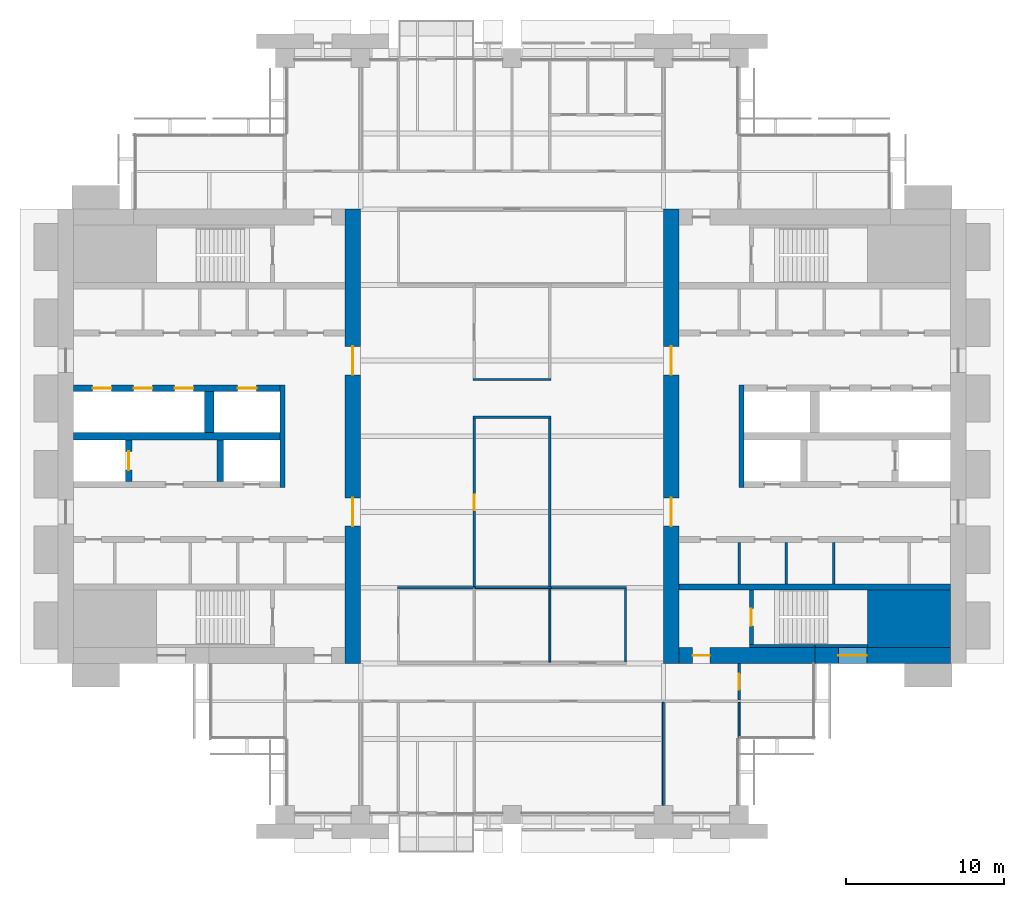
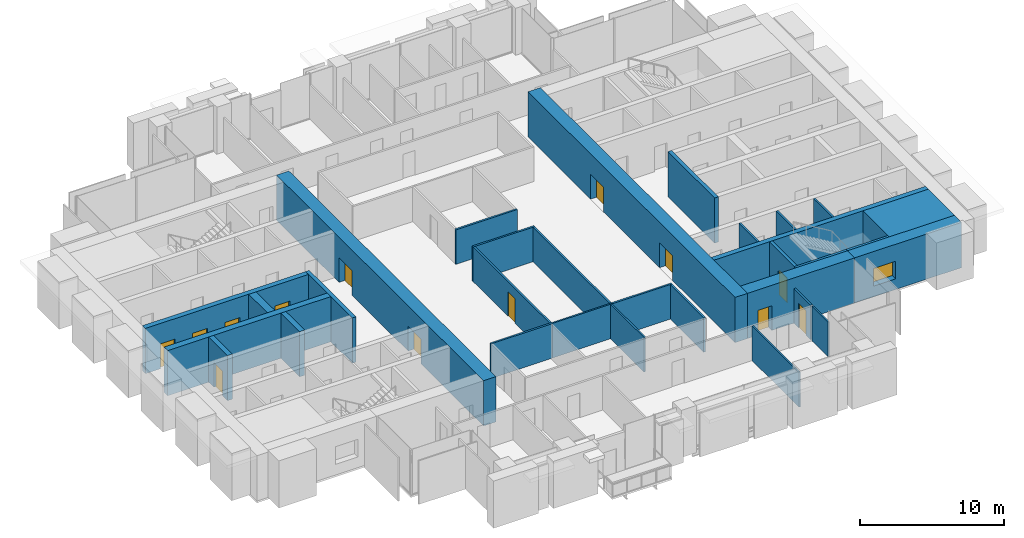
# One storey, part 10 of 15: 31 walls, 13 doors, 1 window, 14 openings.
"""IFC4 building model written with IfcOpenShell, lengths in metres."""

from ifc_helpers import new_model, si_unit, direction, frame, frame_2d, origin, place, context, subcontext, project, spatial, rectangle, extrude, material, layer, layer_set, type_object, element, fill, save


model = new_model("IFC4")

# Units and contexts
model_context = context("Model", 3, precision=1e-05, world=origin(), true_north=direction((0.0, 1.0)))
body_context = subcontext(model_context, "Body", "Model", "MODEL_VIEW")
ifc_project = project(units=[si_unit("LENGTHUNIT", "METRE"), si_unit("AREAUNIT", "SQUARE_METRE"), si_unit("VOLUMEUNIT", "CUBIC_METRE"), si_unit("PLANEANGLEUNIT", "RADIAN"), si_unit("MASSUNIT", "GRAM", prefix="KILO")], contexts=[model_context])

# Site, building, storey
site_placement = place(None, origin())
site = spatial("IfcSite", under=ifc_project, at=site_placement, CompositionType="ELEMENT")
building_placement = place(site_placement, origin())
building = spatial("IfcBuilding", under=site, at=building_placement, Name="Baori Bourse Tower", CompositionType="ELEMENT")
storey_placement = place(building_placement, frame((0.0, 0.0, 128.10009765625)))
storey = spatial("IfcBuildingStorey", under=building, at=storey_placement, Name="L27", CompositionType="ELEMENT", Elevation=128.10009765625)

# Walls
ifc_material_1 = material(Name="Concrete f'c 60 MPa", Category="concrete")
wall_type_1 = type_object("IfcWallType", Name="Core corner block f'c 60", PredefinedType="SHEAR", material=ifc_material_1)
wall_1_placement = place(storey_placement, frame((51.35009765625, 12.425048828125, 0.0), z_axis=(0.0, 0.0, 1.0), x_axis=(1.0, 0.0, 0.0)))
element("IfcWall", 1, at=wall_1_placement, inside=storey, type_object=wall_type_1, Name="Core wall E05", PredefinedType="SHEAR", context=body_context, shape_type="SweptSolid", body=[
    extrude(rectangle(XDim=5.25, YDim=3.64990234375, at=frame_2d((2.625, 0.0))), origin(), (0.0, 0.0, 1.0), 3.83984375),
])
ifc_material_2 = material(Name="Blockwork partition", Category="masonry")
ifc_layer_1 = layer(ifc_material_2, 0.14990234375)
ifc_layer_set_1 = layer_set([ifc_layer_1], Name="Core partition 150")
wall_type_2 = type_object("IfcWallType", Name="Core partition 150", PredefinedType="PARTITIONING", material=ifc_layer_set_1)
for number, where, z_axis, x_axis, name in (
    (2, (49.199951171875, 14.64990234375, 0.0), (0.0, 0.0, 1.0), (0.0, 1.0, 0.0), "Partition wall E11"),
    (3, (46.199951171875, 14.64990234375, 0.0), (0.0, 0.0, 1.0), (0.0, 1.0, 0.0), "Partition wall E12"),
    (4, (43.199951171875, 14.64990234375, 0.0), (0.0, 0.0, 1.0), (0.0, 1.0, 0.0), "Partition wall E13"),
):
    element("IfcWall", number, at=place(storey_placement, frame(where, z_axis=z_axis, x_axis=x_axis)), inside=storey, type_object=wall_type_2, Name=name, PredefinedType="PARTITIONING", context=body_context, shape_type="SweptSolid", body=[
        extrude(rectangle(XDim=2.60009765625, YDim=0.14990234375, at=frame_2d((1.300048828125, 0.0))), origin(), (0.0, 0.0, 1.0), 3.83984375),
    ])

# Wall, openings, doors
ifc_material_3 = material(Name="Concrete f'c 60 MPa", Category="concrete")
ifc_layer_2 = layer(ifc_material_3, 1.0)
ifc_layer_set_2 = layer_set([ifc_layer_2], Name="Core wall 1000 f'c 60")
wall_type_3 = type_object("IfcWallType", Name="Core wall 1000 f'c 60", PredefinedType="SHEAR", material=ifc_layer_set_2)
wall_2_placement = place(storey_placement, frame((18.699951171875, 38.39990234375, 0.0), z_axis=(0.0, 0.0, 1.0), x_axis=(0.0, -1.0, 0.0)))
wall_2 = element("IfcWall", 5, at=wall_2_placement, inside=storey, type_object=wall_type_3, Name="Core wall W04", PredefinedType="SHEAR", context=body_context, shape_type="SweptSolid", body=[
    extrude(rectangle(XDim=28.7998046875, YDim=1.0, at=frame_2d((14.39990234375, 0.0))), origin(), (0.0, 0.0, 1.0), 3.83984375),
])
opening_1_placement = place(wall_2_placement, frame((18.300048828125, 0.0, 0.0)))
opening_1 = element("IfcOpeningElement", 6, at=opening_1_placement, cuts=wall_2, Name="Opening L27-D107", PredefinedType="OPENING", context=body_context, shape_type="SweptSolid", body=[
    extrude(rectangle(XDim=1.800048828125, YDim=2.10009765625, at=frame_2d((0.89990234375, 1.050048828125))), frame((0.0, 0.510009765625, 0.0), z_axis=(0.0, -1.0, 0.0), x_axis=(1.0, 0.0, 0.0)), (0.0, 0.0, 1.0), 1.02001953125),
])
opening_2_placement = place(wall_2_placement, frame((8.699951171875, 0.0, 0.0)))
opening_2 = element("IfcOpeningElement", 7, at=opening_2_placement, cuts=wall_2, Name="Opening L27-D108", PredefinedType="OPENING", context=body_context, shape_type="SweptSolid", body=[
    extrude(rectangle(XDim=1.800048828125, YDim=2.10009765625, at=frame_2d((0.89990234375, 1.050048828125))), frame((0.0, 0.510009765625, 0.0), z_axis=(0.0, -1.0, 0.0), x_axis=(1.0, 0.0, 0.0)), (0.0, 0.0, 1.0), 1.02001953125),
])
ifc_material_4 = material(Name="Painted steel door", Category="steel")
door_type_1 = type_object("IfcDoorType", Name="Core lobby door 1800", OperationType="DOUBLE_DOOR_SINGLE_SWING", PredefinedType="DOOR", material=ifc_material_4)
door_1_placement = place(opening_1_placement, origin())
door_1 = element("IfcDoor", 8, at=door_1_placement, inside=storey, type_object=door_type_1, Name="Lobby door W L27", OperationType="DOUBLE_DOOR_SINGLE_SWING", OverallHeight=2.10009765625, OverallWidth=1.800048828125, PredefinedType="DOOR", context=body_context, shape_type="SweptSolid", body=[
    extrude(rectangle(XDim=1.800048828125, YDim=2.10009765625, at=frame_2d((0.89990234375, 1.050048828125))), frame((0.0, 0.02490234375, 0.0), z_axis=(0.0, -1.0, 0.0), x_axis=(1.0, 0.0, 0.0)), (0.0, 0.0, 1.0), 0.050048828125),
])
fill(opening_1, door_1)
door_2_placement = place(opening_2_placement, origin())
door_2 = element("IfcDoor", 9, at=door_2_placement, inside=storey, type_object=door_type_1, Name="Lobby door W L27", OperationType="DOUBLE_DOOR_SINGLE_SWING", OverallHeight=2.10009765625, OverallWidth=1.800048828125, PredefinedType="DOOR", context=body_context, shape_type="SweptSolid", body=[
    extrude(rectangle(XDim=1.800048828125, YDim=2.10009765625, at=frame_2d((0.89990234375, 1.050048828125))), frame((0.0, 0.02490234375, 0.0), z_axis=(0.0, -1.0, 0.0), x_axis=(1.0, 0.0, 0.0)), (0.0, 0.0, 1.0), 0.050048828125),
])
fill(opening_2, door_2)

# Wall, opening, window
wall_3_placement = place(storey_placement, frame((56.60009765625, 10.10009765625, 0.0), z_axis=(0.0, 0.0, 1.0), x_axis=(-1.0, 0.0, 0.0)))
wall_3 = element("IfcWall", 10, at=wall_3_placement, inside=storey, type_object=wall_type_3, Name="Core wall E02", PredefinedType="SHEAR", context=body_context, shape_type="SweptSolid", body=[
    extrude(rectangle(XDim=8.60009765625, YDim=1.0, at=frame_2d((4.300048828125, 0.0))), origin(), (0.0, 0.0, 1.0), 3.83984375),
])
opening_3_placement = place(wall_3_placement, frame((5.300048828125, 0.0, 0.89990234375)))
opening_3 = element("IfcOpeningElement", 11, at=opening_3_placement, cuts=wall_3, Name="Opening L27-KW203", PredefinedType="OPENING", context=body_context, shape_type="SweptSolid", body=[
    extrude(rectangle(XDim=1.800048828125, YDim=1.5, at=frame_2d((0.89990234375, 0.75))), frame((0.0, 0.510009765625, 0.0), z_axis=(0.0, -1.0, 0.0), x_axis=(1.0, 0.0, 0.0)), (0.0, 0.0, 1.0), 1.02001953125),
])
ifc_material_5 = material(Name="Pale anodised aluminium", Category="aluminium")
window_type = type_object("IfcWindowType", Name="Stair window 1800 x 1500", PartitioningType="SINGLE_PANEL", PredefinedType="WINDOW", material=ifc_material_5)
window_placement = place(opening_3_placement, origin())
window = element("IfcWindow", 12, at=window_placement, inside=storey, type_object=window_type, Name="Stair window E L27 3", OverallHeight=1.5, OverallWidth=1.800048828125, PartitioningType="SINGLE_PANEL", PredefinedType="WINDOW", context=body_context, shape_type="SweptSolid", body=[
    extrude(rectangle(XDim=1.800048828125, YDim=1.5, at=frame_2d((0.89990234375, 0.75))), frame((0.0, 0.030029296875, 0.0), z_axis=(0.0, -1.0, 0.0), x_axis=(1.0, 0.0, 0.0)), (0.0, 0.0, 1.0), 0.06005859375),
])
fill(opening_3, window)

# Wall, opening, door
wall_4_placement = place(storey_placement, frame((48.0, 10.10009765625, 0.0), z_axis=(0.0, 0.0, 1.0), x_axis=(-1.0, 0.0, 0.0)))
wall_4 = element("IfcWall", 13, at=wall_4_placement, inside=storey, type_object=wall_type_3, Name="Core wall E03", PredefinedType="SHEAR", context=body_context, shape_type="SweptSolid", body=[
    extrude(rectangle(XDim=8.60009765625, YDim=1.0, at=frame_2d((4.300048828125, 0.0))), origin(), (0.0, 0.0, 1.0), 3.83984375),
])
opening_4_placement = place(wall_4_placement, frame((6.64990234375, 0.0, 0.0)))
opening_4 = element("IfcOpeningElement", 14, at=opening_4_placement, cuts=wall_4, Name="Opening L27-D202", PredefinedType="OPENING", context=body_context, shape_type="SweptSolid", body=[
    extrude(rectangle(XDim=1.10009765625, YDim=2.10009765625, at=frame_2d((0.550048828125, 1.050048828125))), frame((0.0, 0.510009765625, 0.0), z_axis=(0.0, -1.0, 0.0), x_axis=(1.0, 0.0, 0.0)), (0.0, 0.0, 1.0), 1.02001953125),
])
ifc_material_6 = material(Name="Painted steel door", Category="steel")
door_type_2 = type_object("IfcDoorType", Name="Stair door 1100", OperationType="SINGLE_SWING_LEFT", PredefinedType="DOOR", material=ifc_material_6)
door_3_placement = place(opening_4_placement, origin())
door_3 = element("IfcDoor", 15, at=door_3_placement, inside=storey, type_object=door_type_2, Name="Stair vestibule door A E L27", OperationType="SINGLE_SWING_LEFT", OverallHeight=2.10009765625, OverallWidth=1.10009765625, PredefinedType="DOOR", context=body_context, shape_type="SweptSolid", body=[
    extrude(rectangle(XDim=1.10009765625, YDim=2.10009765625, at=frame_2d((0.550048828125, 1.050048828125))), frame((0.0, 0.02490234375, 0.0), z_axis=(0.0, -1.0, 0.0), x_axis=(1.0, 0.0, 0.0)), (0.0, 0.0, 1.0), 0.050048828125),
])
fill(opening_4, door_3)

# Wall, openings, doors
wall_5_placement = place(storey_placement, frame((38.89990234375, 9.60009765625, 0.0), z_axis=(0.0, 0.0, 1.0), x_axis=(0.0, 1.0, 0.0)))
wall_5 = element("IfcWall", 16, at=wall_5_placement, inside=storey, type_object=wall_type_3, Name="Core wall E04", PredefinedType="SHEAR", context=body_context, shape_type="SweptSolid", body=[
    extrude(rectangle(XDim=28.7998046875, YDim=1.0, at=frame_2d((14.39990234375, 0.0))), origin(), (0.0, 0.0, 1.0), 3.83984375),
])
opening_5_placement = place(wall_5_placement, frame((8.699951171875, 0.0, 0.0)))
opening_5 = element("IfcOpeningElement", 17, at=opening_5_placement, cuts=wall_5, Name="Opening L27-D207", PredefinedType="OPENING", context=body_context, shape_type="SweptSolid", body=[
    extrude(rectangle(XDim=1.800048828125, YDim=2.10009765625, at=frame_2d((0.89990234375, 1.050048828125))), frame((0.0, 0.510009765625, 0.0), z_axis=(0.0, -1.0, 0.0), x_axis=(1.0, 0.0, 0.0)), (0.0, 0.0, 1.0), 1.02001953125),
])
opening_6_placement = place(wall_5_placement, frame((18.300048828125, 0.0, 0.0)))
opening_6 = element("IfcOpeningElement", 18, at=opening_6_placement, cuts=wall_5, Name="Opening L27-D208", PredefinedType="OPENING", context=body_context, shape_type="SweptSolid", body=[
    extrude(rectangle(XDim=1.800048828125, YDim=2.10009765625, at=frame_2d((0.89990234375, 1.050048828125))), frame((0.0, 0.510009765625, 0.0), z_axis=(0.0, -1.0, 0.0), x_axis=(1.0, 0.0, 0.0)), (0.0, 0.0, 1.0), 1.02001953125),
])
door_4_placement = place(opening_5_placement, origin())
door_4 = element("IfcDoor", 19, at=door_4_placement, inside=storey, type_object=door_type_1, Name="Lobby door E L27", OperationType="DOUBLE_DOOR_SINGLE_SWING", OverallHeight=2.10009765625, OverallWidth=1.800048828125, PredefinedType="DOOR", context=body_context, shape_type="SweptSolid", body=[
    extrude(rectangle(XDim=1.800048828125, YDim=2.10009765625, at=frame_2d((0.89990234375, 1.050048828125))), frame((0.0, 0.02490234375, 0.0), z_axis=(0.0, -1.0, 0.0), x_axis=(1.0, 0.0, 0.0)), (0.0, 0.0, 1.0), 0.050048828125),
])
fill(opening_5, door_4)
door_5_placement = place(opening_6_placement, origin())
door_5 = element("IfcDoor", 20, at=door_5_placement, inside=storey, type_object=door_type_1, Name="Lobby door E L27", OperationType="DOUBLE_DOOR_SINGLE_SWING", OverallHeight=2.10009765625, OverallWidth=1.800048828125, PredefinedType="DOOR", context=body_context, shape_type="SweptSolid", body=[
    extrude(rectangle(XDim=1.800048828125, YDim=2.10009765625, at=frame_2d((0.89990234375, 1.050048828125))), frame((0.0, 0.02490234375, 0.0), z_axis=(0.0, -1.0, 0.0), x_axis=(1.0, 0.0, 0.0)), (0.0, 0.0, 1.0), 0.050048828125),
])
fill(opening_6, door_5)

# Walls
ifc_material_7 = material(Name="Gypsum board partition")
ifc_layer_3 = layer(ifc_material_7, 0.14990234375)
ifc_layer_set_3 = layer_set([ifc_layer_3], Name="Corridor partition 150")
wall_type_4 = type_object("IfcWallType", Name="Corridor partition 150", PredefinedType="PARTITIONING", material=ifc_layer_set_3)
wall_6_placement = place(storey_placement, frame((21.52490234375, 14.39990234375, 0.0), z_axis=(0.0, 0.0, 1.0), x_axis=(1.0, 0.0, 0.0)))
element("IfcWall", 21, at=wall_6_placement, inside=storey, type_object=wall_type_4, Name="Partition", PredefinedType="PARTITIONING", context=body_context, shape_type="SweptSolid", body=[
    extrude(rectangle(XDim=4.9501953125, YDim=0.14990234375, at=frame_2d((2.47509765625, 0.0))), origin(), (0.0, 0.0, 1.0), 2.935546875),
])
wall_7_placement = place(storey_placement, frame((31.27490234375, 14.39990234375, 0.0), z_axis=(0.0, 0.0, 1.0), x_axis=(1.0, 0.0, 0.0)))
element("IfcWall", 22, at=wall_7_placement, inside=storey, type_object=wall_type_4, Name="Partition", PredefinedType="PARTITIONING", context=body_context, shape_type="SweptSolid", body=[
    extrude(rectangle(XDim=4.800048828125, YDim=0.14990234375, at=frame_2d((2.39990234375, 0.0))), origin(), (0.0, 0.0, 1.0), 2.935546875),
])
for number, where, z_axis, x_axis, name in (
    (23, (26.324951171875, 25.199951171875, 0.0), (0.0, 0.0, 1.0), (1.0, 0.0, 0.0), "Partition"),
    (24, (26.324951171875, 27.60009765625, 0.0), (0.0, 0.0, 1.0), (1.0, 0.0, 0.0), "Partition"),
):
    element("IfcWall", number, at=place(storey_placement, frame(where, z_axis=z_axis, x_axis=x_axis)), inside=storey, type_object=wall_type_4, Name=name, PredefinedType="PARTITIONING", context=body_context, shape_type="SweptSolid", body=[
        extrude(rectangle(XDim=4.949951171875, YDim=0.14990234375, at=frame_2d((2.47509765625, 0.0))), origin(), (0.0, 0.0, 1.0), 2.935546875),
    ])

# Wall, opening, door
wall_8_placement = place(storey_placement, frame((26.39990234375, 14.47509765625, 0.0), z_axis=(0.0, 0.0, 1.0), x_axis=(0.0, 1.0, 0.0)))
wall_8 = element("IfcWall", 25, at=wall_8_placement, inside=storey, type_object=wall_type_4, Name="Partition", PredefinedType="PARTITIONING", context=body_context, shape_type="SweptSolid", body=[
    extrude(rectangle(XDim=10.64990234375, YDim=0.14990234375, at=frame_2d((5.324951171875, 0.0))), origin(), (0.0, 0.0, 1.0), 2.935546875),
])
opening_7_placement = place(wall_8_placement, frame((4.824951171875, 0.0, 0.0)))
opening_7 = element("IfcOpeningElement", 26, at=opening_7_placement, cuts=wall_8, Name="Opening L27-D22", PredefinedType="OPENING", context=body_context, shape_type="SweptSolid", body=[
    extrude(rectangle(XDim=1.0, YDim=2.10009765625, at=frame_2d((0.5, 1.050048828125))), frame((0.0, 0.0849609375, 0.0), z_axis=(0.0, -1.0, 0.0), x_axis=(1.0, 0.0, 0.0)), (0.0, 0.0, 1.0), 0.169921875),
])
ifc_material_8 = material(Name="Timber door leaf", Category="wood")
door_type_3 = type_object("IfcDoorType", Name="Door 1000 x 2100", OperationType="SINGLE_SWING_LEFT", PredefinedType="DOOR", material=ifc_material_8)
door_6_placement = place(opening_7_placement, origin())
door_6 = element("IfcDoor", 27, at=door_6_placement, inside=storey, type_object=door_type_3, Name="Door", OperationType="SINGLE_SWING_RIGHT", OverallHeight=2.10009765625, OverallWidth=1.0, PredefinedType="DOOR", context=body_context, shape_type="SweptSolid", body=[
    extrude(rectangle(XDim=1.0, YDim=2.10009765625, at=frame_2d((0.5, 1.050048828125))), frame((0.0, 0.02490234375, 0.0), z_axis=(0.0, -1.0, 0.0), x_axis=(1.0, 0.0, 0.0)), (0.0, 0.0, 1.0), 0.050048828125),
])
fill(opening_7, door_6)

# Walls
wall_9_placement = place(storey_placement, frame((31.199951171875, 14.47509765625, 0.0), z_axis=(0.0, 0.0, 1.0), x_axis=(0.0, 1.0, 0.0)))
element("IfcWall", 28, at=wall_9_placement, inside=storey, type_object=wall_type_4, Name="Partition", PredefinedType="PARTITIONING", context=body_context, shape_type="SweptSolid", body=[
    extrude(rectangle(XDim=10.64990234375, YDim=0.14990234375, at=frame_2d((5.324951171875, 0.0))), origin(), (0.0, 0.0, 1.0), 2.935546875),
])
wall_10_placement = place(storey_placement, frame((36.0, 9.675048828125, 0.0), z_axis=(0.0, 0.0, 1.0), x_axis=(0.0, 1.0, 0.0)))
element("IfcWall", 29, at=wall_10_placement, inside=storey, type_object=wall_type_4, Name="Partition", PredefinedType="PARTITIONING", context=body_context, shape_type="SweptSolid", body=[
    extrude(rectangle(XDim=4.64990234375, YDim=0.14990234375, at=frame_2d((2.324951171875, 0.0))), origin(), (0.0, 0.0, 1.0), 2.935546875),
])

# Wall, opening, door
wall_11_placement = place(storey_placement, frame((43.199951171875, 7.27490234375, 0.0), z_axis=(0.0, 0.0, 1.0), x_axis=(0.0, 1.0, 0.0)))
wall_11 = element("IfcWall", 30, at=wall_11_placement, inside=storey, type_object=wall_type_4, Name="Partition", PredefinedType="PARTITIONING", context=body_context, shape_type="SweptSolid", body=[
    extrude(rectangle(XDim=2.3251953125, YDim=0.14990234375, at=frame_2d((1.16259765625, 0.0))), origin(), (0.0, 0.0, 1.0), 2.935546875),
])
opening_8_placement = place(wall_11_placement, frame((0.66259765625, 0.0, 0.0)))
opening_8 = element("IfcOpeningElement", 31, at=opening_8_placement, cuts=wall_11, Name="Opening L27-D24", PredefinedType="OPENING", context=body_context, shape_type="SweptSolid", body=[
    extrude(rectangle(XDim=1.0, YDim=2.10009765625, at=frame_2d((0.5, 1.050048828125))), frame((0.0, 0.0849609375, 0.0), z_axis=(0.0, -1.0, 0.0), x_axis=(1.0, 0.0, 0.0)), (0.0, 0.0, 1.0), 0.169921875),
])
door_7_placement = place(opening_8_placement, origin())
door_7 = element("IfcDoor", 32, at=door_7_placement, inside=storey, type_object=door_type_3, Name="Door", OperationType="SINGLE_SWING_LEFT", OverallHeight=2.10009765625, OverallWidth=1.0, PredefinedType="DOOR", context=body_context, shape_type="SweptSolid", body=[
    extrude(rectangle(XDim=1.0, YDim=2.10009765625, at=frame_2d((0.5, 1.050048828125))), frame((0.0, 0.02490234375, 0.0), z_axis=(0.0, -1.0, 0.0), x_axis=(1.0, 0.0, 0.0)), (0.0, 0.0, 1.0), 0.050048828125),
])
fill(opening_8, door_7)

# Walls
ifc_material_9 = material(Name="Gypsum board partition")
ifc_layer_4 = layer(ifc_material_9, 0.125)
ifc_layer_set_4 = layer_set([ifc_layer_4], Name="Partition 125")
wall_type_5 = type_object("IfcWallType", Name="Partition 125", PredefinedType="PARTITIONING", material=ifc_layer_set_4)
wall_12_placement = place(storey_placement, frame((26.47509765625, 14.39990234375, 0.0), z_axis=(0.0, 0.0, 1.0), x_axis=(1.0, 0.0, 0.0)))
element("IfcWall", 33, at=wall_12_placement, inside=storey, type_object=wall_type_5, Name="Partition", PredefinedType="PARTITIONING", context=body_context, shape_type="SweptSolid", body=[
    extrude(rectangle(XDim=4.7998046875, YDim=0.125, at=frame_2d((2.39990234375, 0.0))), origin(), (0.0, 0.0, 1.0), 2.935546875),
])
wall_13_placement = place(storey_placement, frame((31.199951171875, 9.675048828125, 0.0), z_axis=(0.0, 0.0, 1.0), x_axis=(0.0, 1.0, 0.0)))
element("IfcWall", 34, at=wall_13_placement, inside=storey, type_object=wall_type_5, Name="Partition", PredefinedType="PARTITIONING", context=body_context, shape_type="SweptSolid", body=[
    extrude(rectangle(XDim=4.64990234375, YDim=0.125, at=frame_2d((2.324951171875, 0.0))), origin(), (0.0, 0.0, 1.0), 2.935546875),
])
wall_14_placement = place(storey_placement, frame((38.39990234375, 0.60009765625, 0.0), z_axis=(0.0, 0.0, 1.0), x_axis=(0.0, 1.0, 0.0)))
element("IfcWall", 35, at=wall_14_placement, inside=storey, type_object=wall_type_5, Name="Partition", PredefinedType="PARTITIONING", context=body_context, shape_type="SweptSolid", body=[
    extrude(rectangle(XDim=6.52490234375, YDim=0.125, at=frame_2d((3.262451171875, 0.0))), origin(), (0.0, 0.0, 1.0), 2.935546875),
])
wall_15_placement = place(storey_placement, frame((43.199951171875, 4.89990234375, 0.0), z_axis=(0.0, 0.0, 1.0), x_axis=(0.0, 1.0, 0.0)))
element("IfcWall", 36, at=wall_15_placement, inside=storey, type_object=wall_type_5, Name="Partition", PredefinedType="PARTITIONING", context=body_context, shape_type="SweptSolid", body=[
    extrude(rectangle(XDim=2.22509765625, YDim=0.125, at=frame_2d((1.112548828125, 0.0))), origin(), (0.0, 0.0, 1.0), 2.935546875),
])
ifc_material_10 = material(Name="Concrete f'c 60 MPa", Category="concrete")
ifc_layer_5 = layer(ifc_material_10, 0.199951171875)
ifc_layer_set_5 = layer_set([ifc_layer_5], Name="Shaft wall 200 f'c 60")
wall_type_6 = type_object("IfcWallType", Name="Shaft wall 200 f'c 60", PredefinedType="SHEAR", material=ifc_layer_set_5)
wall_16_placement = place(storey_placement, frame((48.0, 10.699951171875, 0.0), z_axis=(0.0, 0.0, 1.0), x_axis=(1.0, 0.0, 0.0)))
element("IfcWall", 37, at=wall_16_placement, inside=storey, type_object=wall_type_6, Name="Core wall E06", PredefinedType="SHEAR", context=body_context, shape_type="SweptSolid", body=[
    extrude(rectangle(XDim=3.35009765625, YDim=0.199951171875, at=frame_2d((1.675048828125, 0.0))), origin(), (0.0, 0.0, 1.0), 3.83984375),
])
wall_17_placement = place(storey_placement, frame((43.85009765625, 10.699951171875, 0.0), z_axis=(0.0, 0.0, 1.0), x_axis=(1.0, 0.0, 0.0)))
element("IfcWall", 38, at=wall_17_placement, inside=storey, type_object=wall_type_6, Name="Core wall E07", PredefinedType="SHEAR", context=body_context, shape_type="SweptSolid", body=[
    extrude(rectangle(XDim=4.14990234375, YDim=0.199951171875, at=frame_2d((2.074951171875, 0.0))), origin(), (0.0, 0.0, 1.0), 3.83984375),
])

# Wall, opening, door
ifc_material_11 = material(Name="Concrete f'c 60 MPa", Category="concrete")
ifc_layer_6 = layer(ifc_material_11, 0.25)
ifc_layer_set_6 = layer_set([ifc_layer_6], Name="Shaft wall 250 f'c 60")
wall_type_7 = type_object("IfcWallType", Name="Shaft wall 250 f'c 60", PredefinedType="SHEAR", material=ifc_layer_set_6)
wall_18_placement = place(storey_placement, frame((43.97509765625, 10.800048828125, 0.0), z_axis=(0.0, 0.0, 1.0), x_axis=(0.0, 1.0, 0.0)))
wall_18 = element("IfcWall", 39, at=wall_18_placement, inside=storey, type_object=wall_type_7, Name="Core wall E08", PredefinedType="SHEAR", context=body_context, shape_type="SweptSolid", body=[
    extrude(rectangle(XDim=3.449951171875, YDim=0.25, at=frame_2d((1.72509765625, 0.0))), origin(), (0.0, 0.0, 1.0), 3.83984375),
])
opening_9_placement = place(wall_18_placement, frame((1.175048828125, 0.0, 0.0)))
opening_9 = element("IfcOpeningElement", 40, at=opening_9_placement, cuts=wall_18, Name="Opening L27-D201", PredefinedType="OPENING", context=body_context, shape_type="SweptSolid", body=[
    extrude(rectangle(XDim=1.10009765625, YDim=2.10009765625, at=frame_2d((0.550048828125, 1.050048828125))), frame((0.0, 0.135009765625, 0.0), z_axis=(0.0, -1.0, 0.0), x_axis=(1.0, 0.0, 0.0)), (0.0, 0.0, 1.0), 0.27001953125),
])
door_8_placement = place(opening_9_placement, origin())
door_8 = element("IfcDoor", 41, at=door_8_placement, inside=storey, type_object=door_type_2, Name="Stair door A E L27", OperationType="SINGLE_SWING_LEFT", OverallHeight=2.10009765625, OverallWidth=1.10009765625, PredefinedType="DOOR", context=body_context, shape_type="SweptSolid", body=[
    extrude(rectangle(XDim=1.10009765625, YDim=2.10009765625, at=frame_2d((0.550048828125, 1.050048828125))), frame((0.0, 0.02490234375, 0.0), z_axis=(0.0, -1.0, 0.0), x_axis=(1.0, 0.0, 0.0)), (0.0, 0.0, 1.0), 0.050048828125),
])
fill(opening_9, door_8)

# Walls
ifc_material_12 = material(Name="Concrete f'c 60 MPa", Category="concrete")
ifc_layer_7 = layer(ifc_material_12, 0.300048828125)
ifc_layer_set_7 = layer_set([ifc_layer_7], Name="Shaft wall 300 f'c 60")
wall_type_8 = type_object("IfcWallType", Name="Shaft wall 300 f'c 60", PredefinedType="SHEAR", material=ifc_layer_set_7)
for number, where, z_axis, x_axis, name in (
    (42, (14.25, 20.75, 0.0), (0.0, 0.0, 1.0), (0.0, 1.0, 0.0), "Core wall W16"),
    (43, (43.35009765625, 20.75, 0.0), (0.0, 0.0, 1.0), (0.0, 1.0, 0.0), "Core wall E16"),
):
    element("IfcWall", number, at=place(storey_placement, frame(where, z_axis=z_axis, x_axis=x_axis)), inside=storey, type_object=wall_type_8, Name=name, PredefinedType="SHEAR", context=body_context, shape_type="SweptSolid", body=[
        extrude(rectangle(XDim=6.5, YDim=0.300048828125, at=frame_2d((3.25, 0.0))), origin(), (0.0, 0.0, 1.0), 3.83984375),
    ])

# Wall, opening, door
ifc_material_13 = material(Name="Concrete f'c 60 MPa", Category="concrete")
ifc_layer_8 = layer(ifc_material_13, 0.39990234375)
ifc_layer_set_8 = layer_set([ifc_layer_8], Name="Shaft wall 400 f'c 60")
wall_type_9 = type_object("IfcWallType", Name="Shaft wall 400 f'c 60", PredefinedType="SHEAR", material=ifc_layer_set_8)
wall_19_placement = place(storey_placement, frame((4.5, 21.14990234375, 0.0), z_axis=(0.0, 0.0, 1.0), x_axis=(0.0, 1.0, 0.0)))
wall_19 = element("IfcWall", 44, at=wall_19_placement, inside=storey, type_object=wall_type_9, Name="Core wall W17", PredefinedType="SHEAR", context=body_context, shape_type="SweptSolid", body=[
    extrude(rectangle(XDim=2.60009765625, YDim=0.39990234375, at=frame_2d((1.300048828125, 0.0))), origin(), (0.0, 0.0, 1.0), 3.83984375),
])
opening_10_placement = place(wall_19_placement, frame((0.699951171875, 0.0, 0.0)))
opening_10 = element("IfcOpeningElement", 45, at=opening_10_placement, cuts=wall_19, Name="Opening L27-D123", PredefinedType="OPENING", context=body_context, shape_type="SweptSolid", body=[
    extrude(rectangle(XDim=1.199951171875, YDim=2.10009765625, at=frame_2d((0.60009765625, 1.050048828125))), frame((0.0, 0.2099609375, 0.0), z_axis=(0.0, -1.0, 0.0), x_axis=(1.0, 0.0, 0.0)), (0.0, 0.0, 1.0), 0.419921875),
])
ifc_material_14 = material(Name="Stainless steel door", Category="steel")
door_type_4 = type_object("IfcDoorType", Name="Lift landing door", OperationType="DOUBLE_DOOR_SLIDING", PredefinedType="DOOR", material=ifc_material_14)
door_9_placement = place(opening_10_placement, origin())
door_9 = element("IfcDoor", 46, at=door_9_placement, inside=storey, type_object=door_type_4, Name="Lift landing door FF1 W L27", OperationType="DOUBLE_DOOR_SLIDING", OverallHeight=2.10009765625, OverallWidth=1.199951171875, PredefinedType="DOOR", context=body_context, shape_type="SweptSolid", body=[
    extrude(rectangle(XDim=1.199951171875, YDim=2.10009765625, at=frame_2d((0.60009765625, 1.050048828125))), frame((0.0, 0.02490234375, 0.0), z_axis=(0.0, -1.0, 0.0), x_axis=(1.0, 0.0, 0.0)), (0.0, 0.0, 1.0), 0.050048828125),
])
fill(opening_10, door_9)

# Wall
wall_20_placement = place(storey_placement, frame((10.300048828125, 21.14990234375, 0.0), z_axis=(0.0, 0.0, 1.0), x_axis=(0.0, 1.0, 0.0)))
element("IfcWall", 47, at=wall_20_placement, inside=storey, type_object=wall_type_9, Name="Core wall W18", PredefinedType="SHEAR", context=body_context, shape_type="SweptSolid", body=[
    extrude(rectangle(XDim=2.60009765625, YDim=0.39990234375, at=frame_2d((1.300048828125, 0.0))), origin(), (0.0, 0.0, 1.0), 3.83984375),
])

# Wall, openings, doors
wall_21_placement = place(storey_placement, frame((1.0, 27.050048828125, 0.0), z_axis=(0.0, 0.0, 1.0), x_axis=(1.0, 0.0, 0.0)))
wall_21 = element("IfcWall", 48, at=wall_21_placement, inside=storey, type_object=wall_type_9, Name="Core wall W21", PredefinedType="SHEAR", context=body_context, shape_type="SweptSolid", body=[
    extrude(rectangle(XDim=13.10009765625, YDim=0.39990234375, at=frame_2d((6.550048828125, 0.0))), origin(), (0.0, 0.0, 1.0), 3.83984375),
])
opening_11_placement = place(wall_21_placement, frame((1.199951171875, 0.0, 0.0)))
opening_11 = element("IfcOpeningElement", 49, at=opening_11_placement, cuts=wall_21, Name="Opening L27-D119", PredefinedType="OPENING", context=body_context, shape_type="SweptSolid", body=[
    extrude(rectangle(XDim=1.199951171875, YDim=2.10009765625, at=frame_2d((0.60009765625, 1.050048828125))), frame((0.0, 0.2099609375, 0.0), z_axis=(0.0, -1.0, 0.0), x_axis=(1.0, 0.0, 0.0)), (0.0, 0.0, 1.0), 0.419921875),
])
opening_12_placement = place(wall_21_placement, frame((3.800048828125, 0.0, 0.0)))
opening_12 = element("IfcOpeningElement", 50, at=opening_12_placement, cuts=wall_21, Name="Opening L27-D120", PredefinedType="OPENING", context=body_context, shape_type="SweptSolid", body=[
    extrude(rectangle(XDim=1.199951171875, YDim=2.10009765625, at=frame_2d((0.60009765625, 1.050048828125))), frame((0.0, 0.2099609375, 0.0), z_axis=(0.0, -1.0, 0.0), x_axis=(1.0, 0.0, 0.0)), (0.0, 0.0, 1.0), 0.419921875),
])
opening_13_placement = place(wall_21_placement, frame((6.39990234375, 0.0, 0.0)))
opening_13 = element("IfcOpeningElement", 51, at=opening_13_placement, cuts=wall_21, Name="Opening L27-D121", PredefinedType="OPENING", context=body_context, shape_type="SweptSolid", body=[
    extrude(rectangle(XDim=1.199951171875, YDim=2.10009765625, at=frame_2d((0.60009765625, 1.050048828125))), frame((0.0, 0.2099609375, 0.0), z_axis=(0.0, -1.0, 0.0), x_axis=(1.0, 0.0, 0.0)), (0.0, 0.0, 1.0), 0.419921875),
])
opening_14_placement = place(wall_21_placement, frame((10.39990234375, 0.0, 0.0)))
opening_14 = element("IfcOpeningElement", 52, at=opening_14_placement, cuts=wall_21, Name="Opening L27-D122", PredefinedType="OPENING", context=body_context, shape_type="SweptSolid", body=[
    extrude(rectangle(XDim=1.199951171875, YDim=2.10009765625, at=frame_2d((0.60009765625, 1.050048828125))), frame((0.0, 0.2099609375, 0.0), z_axis=(0.0, -1.0, 0.0), x_axis=(1.0, 0.0, 0.0)), (0.0, 0.0, 1.0), 0.419921875),
])
door_10_placement = place(opening_11_placement, origin())
door_10 = element("IfcDoor", 53, at=door_10_placement, inside=storey, type_object=door_type_4, Name="Lift landing door SH1 W L27", OperationType="DOUBLE_DOOR_SLIDING", OverallHeight=2.10009765625, OverallWidth=1.199951171875, PredefinedType="DOOR", context=body_context, shape_type="SweptSolid", body=[
    extrude(rectangle(XDim=1.199951171875, YDim=2.10009765625, at=frame_2d((0.60009765625, 1.050048828125))), frame((0.0, 0.02490234375, 0.0), z_axis=(0.0, -1.0, 0.0), x_axis=(1.0, 0.0, 0.0)), (0.0, 0.0, 1.0), 0.050048828125),
])
fill(opening_11, door_10)
door_11_placement = place(opening_12_placement, origin())
door_11 = element("IfcDoor", 54, at=door_11_placement, inside=storey, type_object=door_type_4, Name="Lift landing door SH2 W L27", OperationType="DOUBLE_DOOR_SLIDING", OverallHeight=2.10009765625, OverallWidth=1.199951171875, PredefinedType="DOOR", context=body_context, shape_type="SweptSolid", body=[
    extrude(rectangle(XDim=1.199951171875, YDim=2.10009765625, at=frame_2d((0.60009765625, 1.050048828125))), frame((0.0, 0.02490234375, 0.0), z_axis=(0.0, -1.0, 0.0), x_axis=(1.0, 0.0, 0.0)), (0.0, 0.0, 1.0), 0.050048828125),
])
fill(opening_12, door_11)
door_12_placement = place(opening_13_placement, origin())
door_12 = element("IfcDoor", 55, at=door_12_placement, inside=storey, type_object=door_type_4, Name="Lift landing door SH3 W L27", OperationType="DOUBLE_DOOR_SLIDING", OverallHeight=2.10009765625, OverallWidth=1.199951171875, PredefinedType="DOOR", context=body_context, shape_type="SweptSolid", body=[
    extrude(rectangle(XDim=1.199951171875, YDim=2.10009765625, at=frame_2d((0.60009765625, 1.050048828125))), frame((0.0, 0.02490234375, 0.0), z_axis=(0.0, -1.0, 0.0), x_axis=(1.0, 0.0, 0.0)), (0.0, 0.0, 1.0), 0.050048828125),
])
fill(opening_13, door_12)
door_13_placement = place(opening_14_placement, origin())
door_13 = element("IfcDoor", 56, at=door_13_placement, inside=storey, type_object=door_type_4, Name="Lift landing door SV1 W L27", OperationType="DOUBLE_DOOR_SLIDING", OverallHeight=2.10009765625, OverallWidth=1.199951171875, PredefinedType="DOOR", context=body_context, shape_type="SweptSolid", body=[
    extrude(rectangle(XDim=1.199951171875, YDim=2.10009765625, at=frame_2d((0.60009765625, 1.050048828125))), frame((0.0, 0.02490234375, 0.0), z_axis=(0.0, -1.0, 0.0), x_axis=(1.0, 0.0, 0.0)), (0.0, 0.0, 1.0), 0.050048828125),
])
fill(opening_14, door_13)

# Walls
wall_22_placement = place(storey_placement, frame((39.39990234375, 14.449951171875, 0.0), z_axis=(0.0, 0.0, 1.0), x_axis=(1.0, 0.0, 0.0)))
element("IfcWall", 57, at=wall_22_placement, inside=storey, type_object=wall_type_9, Name="Core wall E09", PredefinedType="SHEAR", context=body_context, shape_type="SweptSolid", body=[
    extrude(rectangle(XDim=17.2001953125, YDim=0.39990234375, at=frame_2d((8.60009765625, 0.0))), origin(), (0.0, 0.0, 1.0), 3.83984375),
])
ifc_material_15 = material(Name="Concrete f'c 60 MPa", Category="concrete")
ifc_layer_9 = layer(ifc_material_15, 0.5)
ifc_layer_set_9 = layer_set([ifc_layer_9], Name="Shaft wall 500 f'c 60")
wall_type_10 = type_object("IfcWallType", Name="Shaft wall 500 f'c 60", PredefinedType="SHEAR", material=ifc_layer_set_9)
wall_23_placement = place(storey_placement, frame((1.0, 24.0, 0.0), z_axis=(0.0, 0.0, 1.0), x_axis=(1.0, 0.0, 0.0)))
element("IfcWall", 58, at=wall_23_placement, inside=storey, type_object=wall_type_10, Name="Core wall W19", PredefinedType="SHEAR", context=body_context, shape_type="SweptSolid", body=[
    extrude(rectangle(XDim=13.10009765625, YDim=0.5, at=frame_2d((6.550048828125, 0.0))), origin(), (0.0, 0.0, 1.0), 3.83984375),
])
ifc_material_16 = material(Name="Concrete f'c 60 MPa", Category="concrete")
ifc_layer_10 = layer(ifc_material_16, 0.60009765625)
ifc_layer_set_10 = layer_set([ifc_layer_10], Name="Shaft wall 600 f'c 60")
wall_type_11 = type_object("IfcWallType", Name="Shaft wall 600 f'c 60", PredefinedType="SHEAR", material=ifc_layer_set_10)
wall_24_placement = place(storey_placement, frame((9.60009765625, 24.25, 0.0), z_axis=(0.0, 0.0, 1.0), x_axis=(0.0, 1.0, 0.0)))
element("IfcWall", 59, at=wall_24_placement, inside=storey, type_object=wall_type_11, Name="Core wall W20", PredefinedType="SHEAR", context=body_context, shape_type="SweptSolid", body=[
    extrude(rectangle(XDim=2.60009765625, YDim=0.60009765625, at=frame_2d((1.300048828125, 0.0))), origin(), (0.0, 0.0, 1.0), 3.83984375),
])

save(model, "model.ifc")
